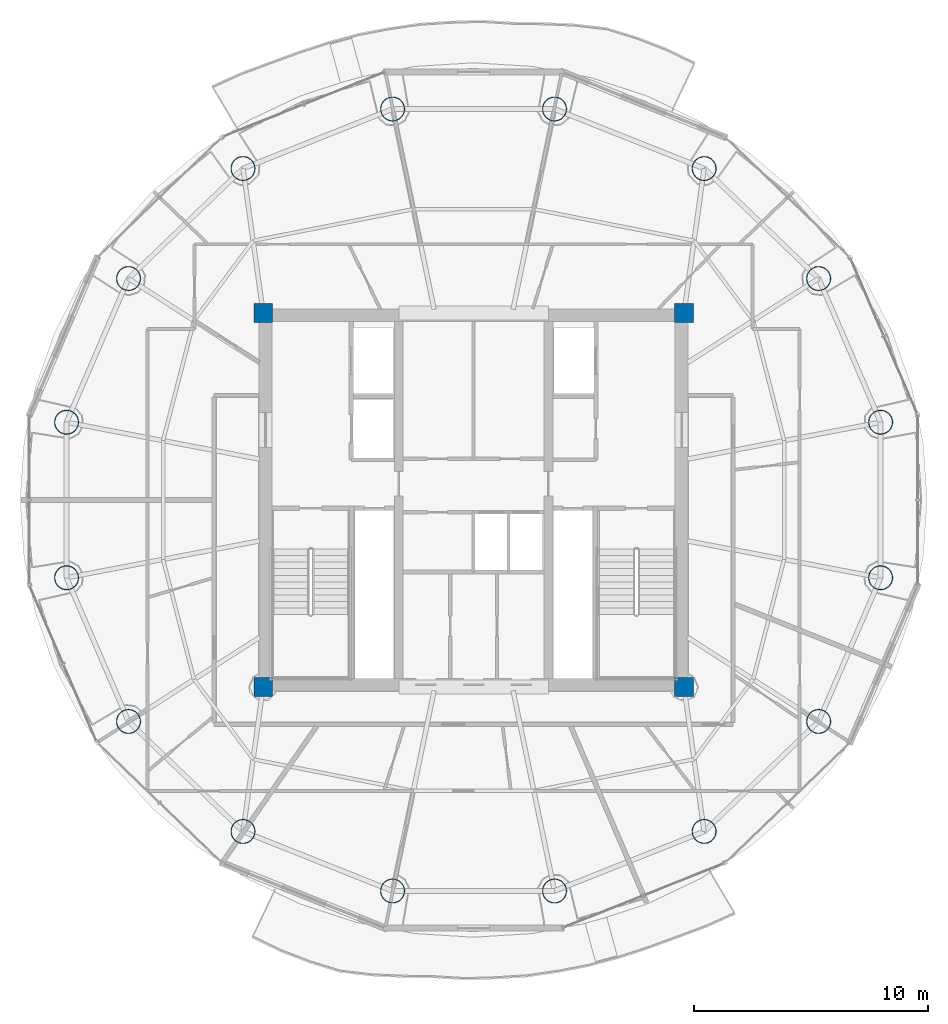
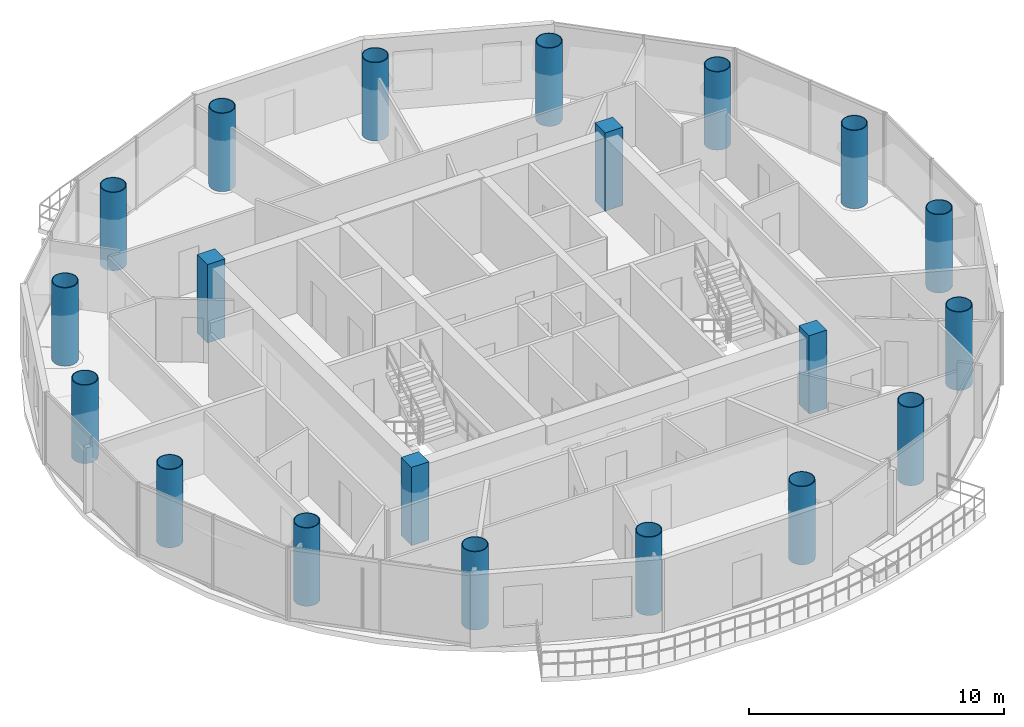
# One storey, part 1 of 24: 20 columns.
"""IFC4 building model written with IfcOpenShell, lengths in metres."""

from ifc_helpers import new_model, si_unit, direction, frame, origin, origin_2d, place, context, subcontext, project, spatial, rectangle, hollow_circle, extrude, material, material_profile, profile_set, type_object, element, save


model = new_model("IFC4")

# Units and contexts
model_context = context("Model", 3, precision=1e-05, world=origin(), true_north=direction((-0.2419218956, 0.970295726276)))
body_context = subcontext(model_context, "Body", "Model", "MODEL_VIEW")
ifc_project = project(units=[si_unit("LENGTHUNIT", "METRE"), si_unit("AREAUNIT", "SQUARE_METRE"), si_unit("VOLUMEUNIT", "CUBIC_METRE"), si_unit("PLANEANGLEUNIT", "RADIAN"), si_unit("MASSUNIT", "GRAM", prefix="KILO")], contexts=[model_context])

# Site, building, storey
site_placement = place(None, origin())
site = spatial("IfcSite", under=ifc_project, at=site_placement, CompositionType="ELEMENT")
building_placement = place(site_placement, origin())
building = spatial("IfcBuilding", under=site, at=building_placement, Name="Cobrevalo Terracotta Tower", CompositionType="ELEMENT")
storey_placement = place(building_placement, frame((0.0, 0.0, 270.699951171875)))
storey = spatial("IfcBuildingStorey", under=building, at=storey_placement, Name="L71", CompositionType="ELEMENT", Elevation=270.699951171875)

# Columns
ifc_material_1 = material(Name="Steel S355", Category="steel")
ifc_material_profile_1 = material_profile(ifc_material_1, hollow_circle(Radius=0.52490234375, WallThickness=0.034912109375, at=origin_2d()), Name="CHS 1050x35")
ifc_profile_set_1 = profile_set([ifc_material_profile_1], Name="Steel S355")
column_type_1 = type_object("IfcColumnType", Name="Structural Column CHS 1050x35 (Steel S355)", PredefinedType="COLUMN", material=ifc_profile_set_1)
for number, where, z_axis, x_axis, name in (
    (1, (55.408935546875, 30.126220703125, 0.0), (0.0, 0.0, 1.0), (1.0, 0.0, 0.0), "L71 composite megacolumn MC01"),
    (2, (52.758544921875, 36.2724609375, 0.0), (0.0, 0.0, 1.0), (1.0, 0.0, 0.0), "L71 composite megacolumn MC02"),
    (3, (47.861328125, 40.9765625, 0.0), (0.0, 0.0, 1.0), (1.0, 0.0, 0.0), "L71 composite megacolumn MC03"),
    (4, (41.462890625, 43.5224609375, 0.0), (0.0, 0.0, 1.0), (1.0, 0.0, 0.0), "L71 composite megacolumn MC04"),
    (5, (34.537109375, 43.5224609375, 0.0), (0.0, 0.0, 1.0), (1.0, 0.0, 0.0), "L71 composite megacolumn MC05"),
    (6, (28.138671875, 40.9765625, 0.0), (0.0, 0.0, 1.0), (1.0, 0.0, 0.0), "L71 composite megacolumn MC06"),
    (7, (23.241455078125, 36.2724609375, 0.0), (0.0, 0.0, 1.0), (1.0, 0.0, 0.0), "L71 composite megacolumn MC07"),
    (8, (20.591064453125, 30.126220703125, 0.0), (0.0, 0.0, 1.0), (1.0, 0.0, 0.0), "L71 composite megacolumn MC08"),
    (9, (20.591064453125, 23.4736328125, 0.0), (0.0, 0.0, 1.0), (1.0, 0.0, 0.0), "L71 composite megacolumn MC09"),
    (10, (23.241455078125, 17.32763671875, 0.0), (0.0, 0.0, 1.0), (1.0, 0.0, 0.0), "L71 composite megacolumn MC10"),
    (11, (28.138671875, 12.62353515625, 0.0), (0.0, 0.0, 1.0), (1.0, 0.0, 0.0), "L71 composite megacolumn MC11"),
    (12, (34.537109375, 10.07763671875, 0.0), (0.0, 0.0, 1.0), (1.0, 0.0, 0.0), "L71 composite megacolumn MC12"),
    (13, (41.462890625, 10.07763671875, 0.0), (0.0, 0.0, 1.0), (1.0, 0.0, 0.0), "L71 composite megacolumn MC13"),
    (14, (47.861328125, 12.62353515625, 0.0), (0.0, 0.0, 1.0), (1.0, 0.0, 0.0), "L71 composite megacolumn MC14"),
    (15, (52.758544921875, 17.32763671875, 0.0), (0.0, 0.0, 1.0), (1.0, 0.0, 0.0), "L71 composite megacolumn MC15"),
    (16, (55.408935546875, 23.4736328125, 0.0), (0.0, 0.0, 1.0), (1.0, 0.0, 0.0), "L71 composite megacolumn MC16"),
):
    element("IfcColumn", number, at=place(storey_placement, frame(where, z_axis=z_axis, x_axis=x_axis)), inside=storey, type_object=column_type_1, Name=name, PredefinedType="COLUMN", context=body_context, shape_type="SweptSolid", body=[
        extrude(hollow_circle(Radius=0.52490234375, WallThickness=0.034912109375, at=origin_2d()), origin(), (0.0, 0.0, 1.0), 3.75),
    ])
ifc_material_2 = material(Name="Concrete C50", Category="concrete")
ifc_material_profile_2 = material_profile(ifc_material_2, rectangle(XDim=0.800048828125, YDim=0.800048828125, at=origin_2d()), Name="RC COL 800x800")
ifc_profile_set_2 = profile_set([ifc_material_profile_2], Name="Concrete C50")
column_type_2 = type_object("IfcColumnType", Name="Structural Column RC COL 800x800 (Concrete C50)", PredefinedType="COLUMN", material=ifc_profile_set_2)
for number, where, z_axis, x_axis, name in (
    (17, (29.0, 18.800048828125, 0.0), (0.0, 0.0, 1.0), (1.0, 0.0, 0.0), "L71 core corner column CC1"),
    (18, (47.0, 18.800048828125, 0.0), (0.0, 0.0, 1.0), (1.0, 0.0, 0.0), "L71 core corner column CC2"),
    (19, (47.0, 34.800048828125, 0.0), (0.0, 0.0, 1.0), (1.0, 0.0, 0.0), "L71 core corner column CC3"),
    (20, (29.0, 34.800048828125, 0.0), (0.0, 0.0, 1.0), (1.0, 0.0, 0.0), "L71 core corner column CC4"),
):
    element("IfcColumn", number, at=place(storey_placement, frame(where, z_axis=z_axis, x_axis=x_axis)), inside=storey, type_object=column_type_2, Name=name, PredefinedType="COLUMN", context=body_context, shape_type="SweptSolid", body=[
        extrude(rectangle(XDim=0.800048828125, YDim=0.800048828125, at=origin_2d()), origin(), (0.0, 0.0, 1.0), 3.75),
    ])

save(model, "model.ifc")
